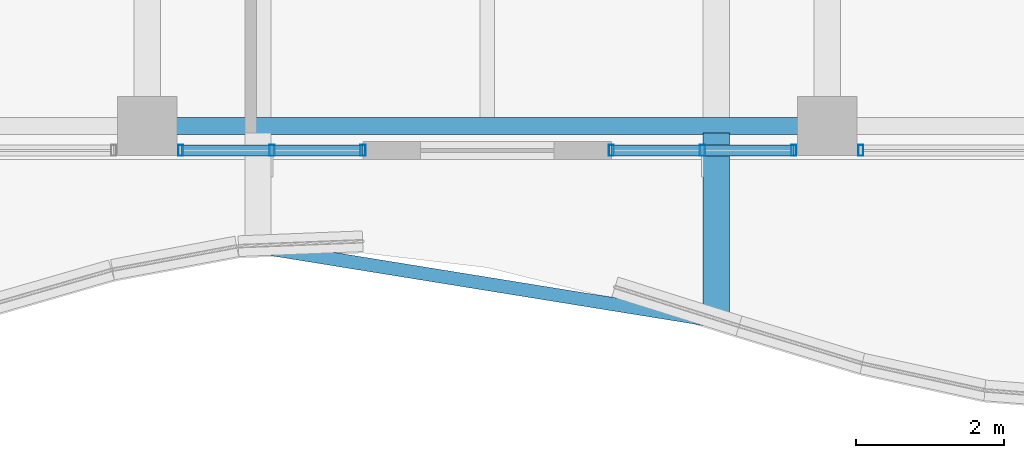
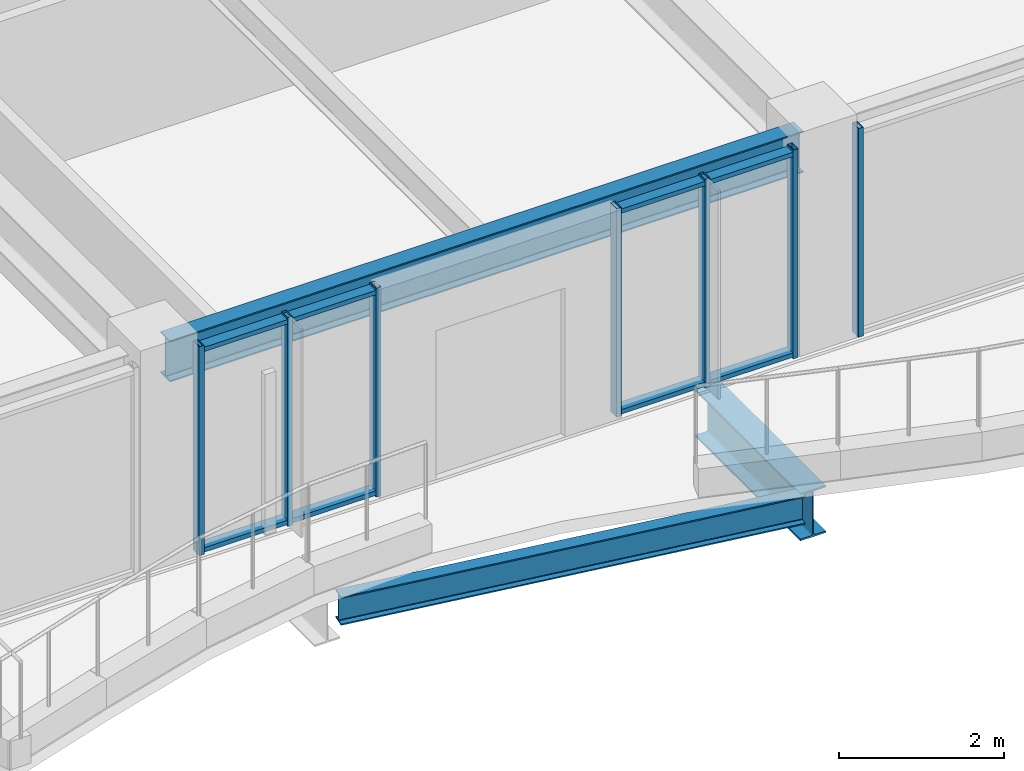
# One storey, part 6 of 36: 11 members, 3 beams, 3 elements without a shape of their own.
"""IFC4 building model written with IfcOpenShell, lengths in metres."""

from ifc_helpers import new_model, si_unit, direction, frame, origin, origin_2d, place, context, subcontext, project, spatial, hollow_rectangle, i_section, extrude, material, material_profile, profile_set, type_object, element, aggregate, save


model = new_model("IFC4")

# Units and contexts
model_context = context("Model", 3, precision=1e-05, world=origin(), true_north=direction((0.0, 1.0)))
body_context = subcontext(model_context, "Body", "Model", "MODEL_VIEW")
ifc_project = project(units=[si_unit("LENGTHUNIT", "METRE"), si_unit("AREAUNIT", "SQUARE_METRE"), si_unit("VOLUMEUNIT", "CUBIC_METRE"), si_unit("PLANEANGLEUNIT", "RADIAN"), si_unit("MASSUNIT", "GRAM", prefix="KILO")], contexts=[model_context])

# Site, building, storey
site_placement = place(None, origin())
site = spatial("IfcSite", under=ifc_project, at=site_placement, CompositionType="ELEMENT")
building_placement = place(site_placement, origin())
building = spatial("IfcBuilding", under=site, at=building_placement, Name="Kolvaren Belvedere", CompositionType="ELEMENT")
storey_placement = place(building_placement, frame((0.0, 0.0, 193.199951171875)))
storey = spatial("IfcBuildingStorey", under=building, at=storey_placement, Name="L56", CompositionType="ELEMENT", Elevation=193.199951171875)

# Beams
ifc_material_1 = material(Name="Structural steel ASTM A992 Grade 50", Category="steel")
ifc_material_profile_1 = material_profile(ifc_material_1, i_section(OverallWidth=0.35498046875, OverallDepth=0.696044921875, WebThickness=0.015380859375, FlangeThickness=0.02490234375, FilletRadius=0.02197265625, at=origin_2d()), Name="W27X146")
ifc_profile_set_1 = profile_set([ifc_material_profile_1], Name="Structural steel ASTM A992 Grade 50")
beam_type_1 = type_object("IfcBeamType", Name="BM-CANT-BAL", PredefinedType="BEAM", material=ifc_profile_set_1)
beam_1_placement = place(storey_placement, frame((3.10009765625, -20.044921875, -0.56787109375), z_axis=(0.0, -1.0, 0.0), x_axis=(1.0, 0.0, 0.0)))
element("IfcBeam", 1, at=beam_1_placement, inside=storey, type_object=beam_type_1, Name="L56 Planted Balcony Cantilever BAL-S-2", PredefinedType="BEAM", context=body_context, shape_type="SweptSolid", body=[
    extrude(i_section(OverallWidth=0.35498046875, OverallDepth=0.696044921875, WebThickness=0.015380859375, FlangeThickness=0.02490234375, FilletRadius=0.02197265625, at=origin_2d()), origin(), (0.0, 0.0, 1.0), 2.541259765625),
])
ifc_material_2 = material(Name="Structural steel ASTM A992 Grade 50", Category="steel")
ifc_material_profile_2 = material_profile(ifc_material_2, i_section(OverallWidth=0.180908203125, OverallDepth=0.4169921875, WebThickness=0.010986328125, FlangeThickness=0.018310546875, FilletRadius=0.013916015625, at=origin_2d()), Name="W16X57")
ifc_profile_set_2 = profile_set([ifc_material_profile_2], Name="Structural steel ASTM A992 Grade 50")
beam_type_2 = type_object("IfcBeamType", Name="BM-EDGE-W16X57", PredefinedType="BEAM", material=ifc_profile_set_2)
beam_2_placement = place(storey_placement, frame((-2.9619140625, -21.607666015625, -0.428466796875), z_axis=(0.987219034838, -0.159369310891, 0.0), x_axis=(0.159369310891, 0.987219034838, 0.0)))
element("IfcBeam", 2, at=beam_2_placement, inside=storey, type_object=beam_type_2, Name="L56 Balcony Tip Header Beam BAL-S", PredefinedType="BEAM", context=body_context, shape_type="SweptSolid", body=[
    extrude(i_section(OverallWidth=0.180908203125, OverallDepth=0.4169921875, WebThickness=0.010986328125, FlangeThickness=0.018310546875, FilletRadius=0.013916015625, at=origin_2d()), origin(), (0.0, 0.0, 1.0), 6.00048828125),
])
ifc_material_3 = material(Name="Structural steel ASTM A992 Grade 50", Category="steel")
ifc_material_profile_3 = material_profile(ifc_material_3, i_section(OverallWidth=0.22900390625, OverallDepth=0.612060546875, WebThickness=0.011962890625, FlangeThickness=0.01953125, FilletRadius=0.01806640625, at=origin_2d()), Name="W24X84")
ifc_profile_set_3 = profile_set([ifc_material_profile_3], Name="Structural steel ASTM A992 Grade 50")
beam_type_3 = type_object("IfcBeamType", Name="BM-SPAN-W24X84", PredefinedType="SPANDREL", material=ifc_profile_set_3)
beam_3_placement = place(storey_placement, frame((-4.419921875, -19.949951171875, 2.774169921875), z_axis=(1.0, 0.0, 0.0), x_axis=(0.0, 1.0, 0.0)))
element("IfcBeam", 3, at=beam_3_placement, inside=storey, type_object=beam_type_3, Name="L56 Perimeter Spandrel S2-S3", PredefinedType="SPANDREL", context=body_context, shape_type="SweptSolid", body=[
    extrude(i_section(OverallWidth=0.22900390625, OverallDepth=0.612060546875, WebThickness=0.011962890625, FlangeThickness=0.01953125, FilletRadius=0.01806640625, at=origin_2d()), origin(), (0.0, 0.0, 1.0), 8.83984375),
])

# Curtain wall, member
ifc_material_4 = material(Name="Anodised pale-metal aluminium AA 6063-T6", Category="aluminium")
curtain_wall_type = type_object("IfcCurtainWallType", Name="CW-Z5-HIGH", PredefinedType="NOTDEFINED", material=ifc_material_4)
curtain_wall_1_placement = place(storey_placement, origin())
curtain_wall_1 = element("IfcCurtainWall", 4, at=curtain_wall_1_placement, inside=storey, type_object=curtain_wall_type, Name="L56 Unitised Curtain Wall FCW-L56-S1-B1", PredefinedType="NOTDEFINED")
ifc_material_5 = material(Name="Anodised pale-metal aluminium AA 6063-T6", Category="aluminium")
ifc_material_profile_4 = material_profile(ifc_material_5, hollow_rectangle(XDim=0.070068359375, YDim=0.14990234375, WallThickness=0.004150390625, at=origin_2d()), Name="ALU-MUL-150X70")
ifc_profile_set_4 = profile_set([ifc_material_profile_4], Name="Anodised pale-metal aluminium AA 6063-T6")
member_type_1 = type_object("IfcMemberType", Name="CW-MUL-150", PredefinedType="MULLION", material=ifc_profile_set_4)
member_1_placement = place(storey_placement, frame((5.054931640625, -20.280029296875, 0.0), z_axis=(0.0, 0.0, 1.0), x_axis=(1.0, 0.0, 0.0)))
member_1 = element("IfcMember", 5, at=member_1_placement, type_object=member_type_1, Name="FCW-L56-S1-B1 Unitised Mullion 3", PredefinedType="MULLION", context=body_context, shape_type="SweptSolid", body=[
    extrude(hollow_rectangle(XDim=0.070068359375, YDim=0.14990234375, WallThickness=0.004150390625, at=origin_2d()), origin(), (0.0, 0.0, 1.0), 3.080078125),
])
aggregate(curtain_wall_1, [member_1])

# Curtain wall, members
curtain_wall_2_placement = place(storey_placement, origin())
curtain_wall_2 = element("IfcCurtainWall", 6, at=curtain_wall_2_placement, inside=storey, type_object=curtain_wall_type, Name="L56 Unitised Curtain Wall FCW-L56-S1-B2", PredefinedType="NOTDEFINED")
member_2_placement = place(storey_placement, frame((4.14501953125, -20.280029296875, 0.0), z_axis=(0.0, 0.0, 1.0), x_axis=(1.0, 0.0, 0.0)))
member_2 = element("IfcMember", 7, at=member_2_placement, type_object=member_type_1, Name="FCW-L56-S1-B2 Unitised Mullion 1", PredefinedType="MULLION", context=body_context, shape_type="SweptSolid", body=[
    extrude(hollow_rectangle(XDim=0.070068359375, YDim=0.14990234375, WallThickness=0.004150390625, at=origin_2d()), origin(), (0.0, 0.0, 1.0), 3.080078125),
])
member_3_placement = place(storey_placement, frame((2.91259765625, -20.280029296875, 0.0), z_axis=(0.0, 0.0, 1.0), x_axis=(1.0, 0.0, 0.0)))
member_3 = element("IfcMember", 8, at=member_3_placement, type_object=member_type_1, Name="FCW-L56-S1-B2 Unitised Mullion 2", PredefinedType="MULLION", context=body_context, shape_type="SweptSolid", body=[
    extrude(hollow_rectangle(XDim=0.070068359375, YDim=0.14990234375, WallThickness=0.004150390625, at=origin_2d()), origin(), (0.0, 0.0, 1.0), 3.080078125),
])
member_4_placement = place(storey_placement, frame((1.679931640625, -20.280029296875, 0.0), z_axis=(0.0, 0.0, 1.0), x_axis=(1.0, 0.0, 0.0)))
member_4 = element("IfcMember", 9, at=member_4_placement, type_object=member_type_1, Name="FCW-L56-S1-B2 Unitised Mullion 3", PredefinedType="MULLION", context=body_context, shape_type="SweptSolid", body=[
    extrude(hollow_rectangle(XDim=0.070068359375, YDim=0.14990234375, WallThickness=0.004150390625, at=origin_2d()), origin(), (0.0, 0.0, 1.0), 3.080078125),
])

curtain_wall_3_placement = place(storey_placement, origin())
curtain_wall_3 = element("IfcCurtainWall", 10, at=curtain_wall_3_placement, inside=storey, type_object=curtain_wall_type, Name="L56 Unitised Curtain Wall FCW-L56-S2-B1", PredefinedType="NOTDEFINED")
member_5_placement = place(storey_placement, frame((-1.679931640625, -20.280029296875, 0.0), z_axis=(0.0, 0.0, 1.0), x_axis=(1.0, 0.0, 0.0)))
member_5 = element("IfcMember", 11, at=member_5_placement, type_object=member_type_1, Name="FCW-L56-S2-B1 Unitised Mullion 1", PredefinedType="MULLION", context=body_context, shape_type="SweptSolid", body=[
    extrude(hollow_rectangle(XDim=0.070068359375, YDim=0.14990234375, WallThickness=0.004150390625, at=origin_2d()), origin(), (0.0, 0.0, 1.0), 3.080078125),
])
member_6_placement = place(storey_placement, frame((-2.91259765625, -20.280029296875, 0.0), z_axis=(0.0, 0.0, 1.0), x_axis=(1.0, 0.0, 0.0)))
member_6 = element("IfcMember", 12, at=member_6_placement, type_object=member_type_1, Name="FCW-L56-S2-B1 Unitised Mullion 2", PredefinedType="MULLION", context=body_context, shape_type="SweptSolid", body=[
    extrude(hollow_rectangle(XDim=0.070068359375, YDim=0.14990234375, WallThickness=0.004150390625, at=origin_2d()), origin(), (0.0, 0.0, 1.0), 3.080078125),
])
member_7_placement = place(storey_placement, frame((-4.14501953125, -20.280029296875, 0.0), z_axis=(0.0, 0.0, 1.0), x_axis=(1.0, 0.0, 0.0)))
member_7 = element("IfcMember", 13, at=member_7_placement, type_object=member_type_1, Name="FCW-L56-S2-B1 Unitised Mullion 3", PredefinedType="MULLION", context=body_context, shape_type="SweptSolid", body=[
    extrude(hollow_rectangle(XDim=0.070068359375, YDim=0.14990234375, WallThickness=0.004150390625, at=origin_2d()), origin(), (0.0, 0.0, 1.0), 3.080078125),
])

# Member
ifc_material_6 = material(Name="Anodised pale-metal aluminium AA 6063-T6", Category="aluminium")
ifc_material_profile_5 = material_profile(ifc_material_6, hollow_rectangle(XDim=0.06494140625, YDim=0.14990234375, WallThickness=0.00390625, at=origin_2d()), Name="ALU-TRN-150X65")
ifc_profile_set_5 = profile_set([ifc_material_profile_5], Name="Anodised pale-metal aluminium AA 6063-T6")
member_type_2 = type_object("IfcMemberType", Name="CW-TRN-150", PredefinedType="USERDEFINED", material=ifc_profile_set_5)
member_8_placement = place(storey_placement, frame((4.14501953125, -20.280029296875, 0.06005859375), z_axis=(-1.0, 0.0, 0.0), x_axis=(0.0, 0.0, 1.0)))
member_8 = element("IfcMember", 14, at=member_8_placement, type_object=member_type_2, Name="FCW-L56-S1-B2 Sill Transom", ObjectType="TRANSOM", PredefinedType="USERDEFINED", context=body_context, shape_type="SweptSolid", body=[
    extrude(hollow_rectangle(XDim=0.06494140625, YDim=0.14990234375, WallThickness=0.00390625, at=origin_2d()), origin(), (0.0, 0.0, 1.0), 2.465087890625),
])

member_9_placement = place(storey_placement, frame((4.14501953125, -20.280029296875, 3.02001953125), z_axis=(-1.0, 0.0, 0.0), x_axis=(0.0, 0.0, 1.0)))
member_9 = element("IfcMember", 15, at=member_9_placement, type_object=member_type_2, Name="FCW-L56-S1-B2 Head Transom", ObjectType="TRANSOM", PredefinedType="USERDEFINED", context=body_context, shape_type="SweptSolid", body=[
    extrude(hollow_rectangle(XDim=0.06494140625, YDim=0.14990234375, WallThickness=0.00390625, at=origin_2d()), origin(), (0.0, 0.0, 1.0), 2.465087890625),
])

aggregate(curtain_wall_2, [member_2, member_3, member_4, member_8, member_9])

member_10_placement = place(storey_placement, frame((-1.679931640625, -20.280029296875, 0.06005859375), z_axis=(-1.0, 0.0, 0.0), x_axis=(0.0, 0.0, 1.0)))
member_10 = element("IfcMember", 16, at=member_10_placement, type_object=member_type_2, Name="FCW-L56-S2-B1 Sill Transom", ObjectType="TRANSOM", PredefinedType="USERDEFINED", context=body_context, shape_type="SweptSolid", body=[
    extrude(hollow_rectangle(XDim=0.06494140625, YDim=0.14990234375, WallThickness=0.00390625, at=origin_2d()), origin(), (0.0, 0.0, 1.0), 2.465087890625),
])

member_11_placement = place(storey_placement, frame((-1.679931640625, -20.280029296875, 3.02001953125), z_axis=(-1.0, 0.0, 0.0), x_axis=(0.0, 0.0, 1.0)))
member_11 = element("IfcMember", 17, at=member_11_placement, type_object=member_type_2, Name="FCW-L56-S2-B1 Head Transom", ObjectType="TRANSOM", PredefinedType="USERDEFINED", context=body_context, shape_type="SweptSolid", body=[
    extrude(hollow_rectangle(XDim=0.06494140625, YDim=0.14990234375, WallThickness=0.00390625, at=origin_2d()), origin(), (0.0, 0.0, 1.0), 2.465087890625),
])

aggregate(curtain_wall_3, [member_5, member_6, member_7, member_10, member_11])

save(model, "model.ifc")
